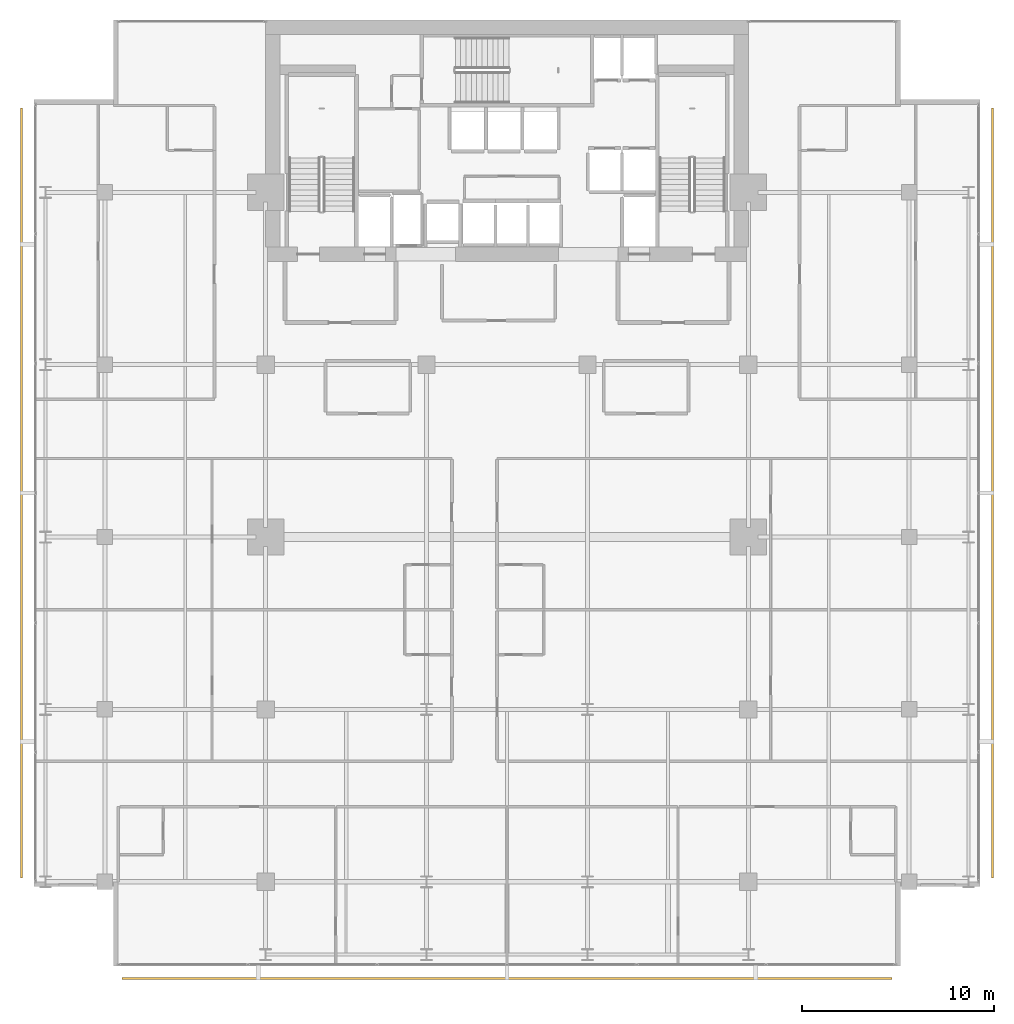
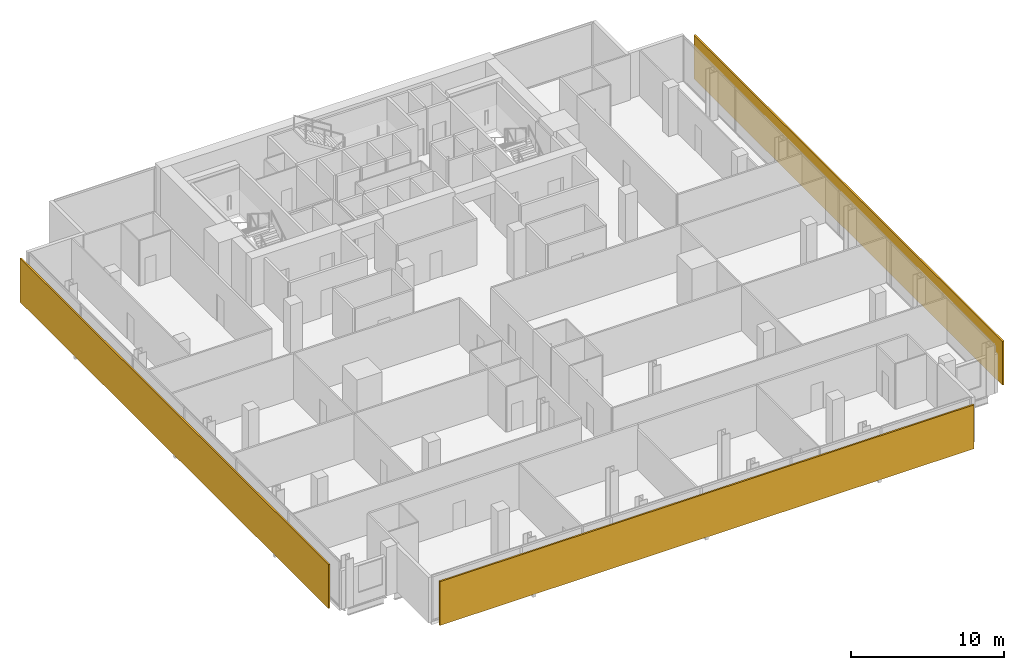
# One storey, part 31 of 32: 3 shading devices.
"""IFC4 building model written with IfcOpenShell, lengths in metres."""

from ifc_helpers import new_model, si_unit, direction, frame, origin, origin_2d, place, context, subcontext, project, spatial, rectangle, extrude, material, layer, layer_set, type_object, element, save


model = new_model("IFC4")

# Units and contexts
model_context = context("Model", 3, precision=1e-05, world=origin(), true_north=direction((0.0, 1.0)))
body_context = subcontext(model_context, "Body", "Model", "MODEL_VIEW")
ifc_project = project(units=[si_unit("LENGTHUNIT", "METRE"), si_unit("AREAUNIT", "SQUARE_METRE"), si_unit("VOLUMEUNIT", "CUBIC_METRE"), si_unit("PLANEANGLEUNIT", "RADIAN"), si_unit("MASSUNIT", "GRAM", prefix="KILO")], contexts=[model_context])

# Site, building, storey
site_placement = place(None, origin())
site = spatial("IfcSite", under=ifc_project, at=site_placement, CompositionType="ELEMENT")
building_placement = place(site_placement, origin())
building = spatial("IfcBuilding", under=site, at=building_placement, Name="Maruvema Waterfront Hotel and Observation Tower", CompositionType="ELEMENT")
storey_placement = place(building_placement, frame((0.0, 0.0, 219.800048828125)))
storey = spatial("IfcBuildingStorey", under=building, at=storey_placement, Name="L54", CompositionType="ELEMENT", Elevation=219.800048828125)

# Shading devices
ifc_material = material(Name="Honed travertine stone and anodised architectural bronze", Category="masonry")
ifc_layer = layer(ifc_material, 0.1201171875, Name="Ventilated Outer Skin Cobogo Stone-and-Bronze Screen 120 mm")
ifc_layer_set = layer_set([ifc_layer], Name="Honed travertine stone and anodised architectural bronze")
shading_device_type = type_object("IfcShadingDeviceType", Name="Ventilated Outer Skin Cobogo Stone-and-Bronze Screen 120 mm", PredefinedType="USERDEFINED", material=ifc_layer_set)
for number, where, z_axis, x_axis, name in (
    (1, (37.800048828125, 3.949951171875, 0.06005859375), (0.0, 0.0, 1.0), (1.0, 0.0, 0.0), "L54 Ventilated Double-Skin Outer Cobogo Screen OS-L54-S"),
    (2, (63.14990234375, 29.300048828125, 0.06005859375), (0.0, 0.0, 1.0), (0.0, 1.0, 0.0), "L54 Ventilated Double-Skin Outer Cobogo Screen OS-L54-E"),
    (3, (12.449951171875, 29.300048828125, 0.06005859375), (0.0, 0.0, 1.0), (0.0, -1.0, 0.0), "L54 Ventilated Double-Skin Outer Cobogo Screen OS-L54-W"),
):
    element("IfcShadingDevice", number, at=place(storey_placement, frame(where, z_axis=z_axis, x_axis=x_axis)), inside=storey, type_object=shading_device_type, Name=name, ObjectType="OUTER SKIN SCREEN", PredefinedType="USERDEFINED", context=body_context, shape_type="SweptSolid", body=[
        extrude(rectangle(XDim=40.199951171875, YDim=0.1201171875, at=origin_2d()), origin(), (0.0, 0.0, 1.0), 3.489990234375),
    ])

save(model, "model.ifc")
